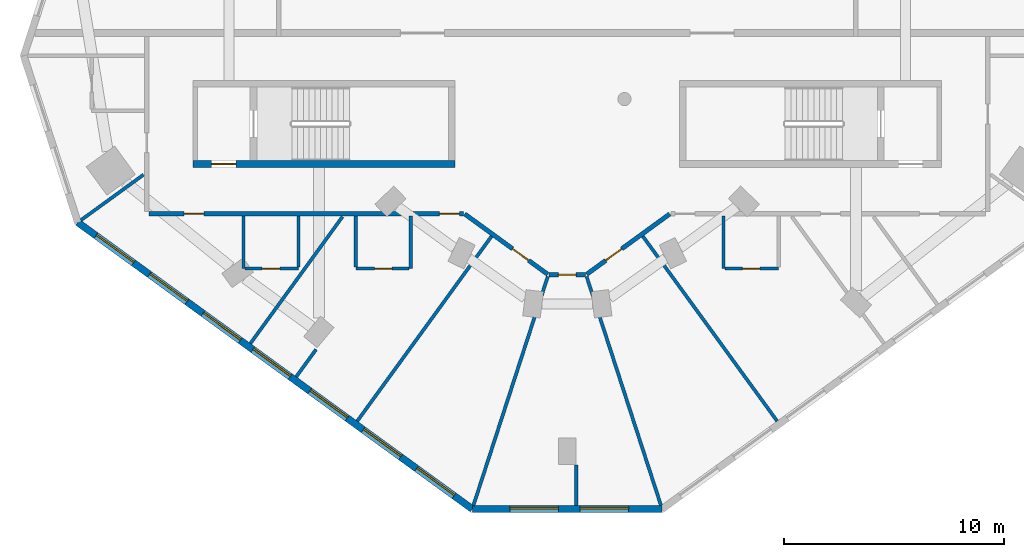
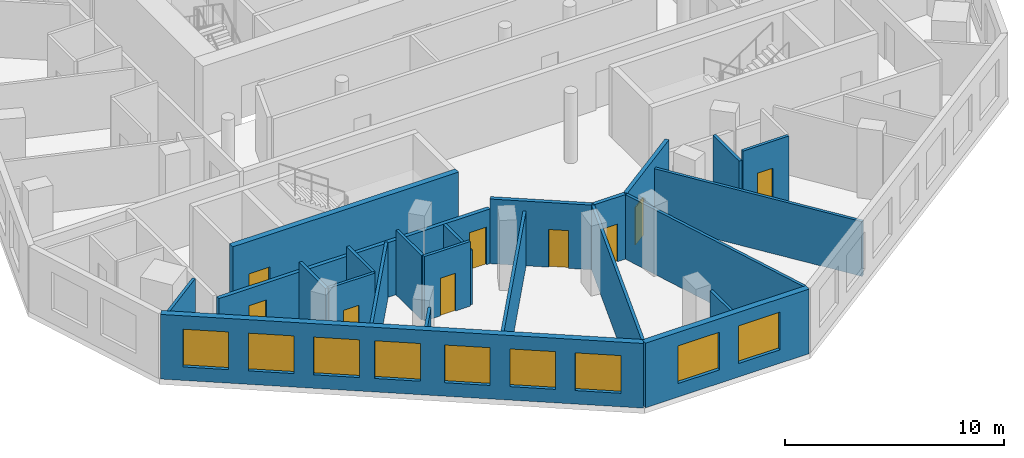
# One storey, part 2 of 9: 23 walls, 9 doors, 9 windows, 18 openings.
"""IFC4 building model written with IfcOpenShell, lengths in metres."""

import ifcopenshell
import ifcopenshell.guid

model = None  # the IFC model being written
_history = None  # IfcOwnerHistory: only IFC2X3 demands one
_inside = {}  # id of a spatial element -> (the spatial element, [elements in it])
_under = {}  # id of a project, library or spatial element -> (it, [spatial elements below it])
_declared = {}  # id of a project -> (the project, [libraries it declares])
_typed = {}  # id of a type object -> (the type object, [elements of that type])
_made_of = {}  # id of a material, layer set ... -> (it, [elements and type objects made of it])


def new_model(schema):
    """Start an empty IFC model of exactly this schema.

    Asked for "IFC4X3", IfcOpenShell would pick the latest addendum, in which some entities
    have other attributes; the version numbers below select the first issue.
    IFC2X3 requires an IfcOwnerHistory on every rooted entity: one is made here for all.
    """
    global model, _history
    if schema == "IFC4X3":
        model = ifcopenshell.file(schema_version=(4, 3, 0, 0))
    else:
        model = ifcopenshell.file(schema=schema)
    _inside.clear()
    _under.clear()
    _declared.clear()
    _typed.clear()
    _made_of.clear()
    _history = None
    if model.schema == "IFC2X3":
        org = make("IfcOrganization", Name="unknown")
        user = make(
            "IfcPersonAndOrganization",
            ThePerson=make("IfcPerson", FamilyName="unknown"),
            TheOrganization=org,
        )
        app = make(
            "IfcApplication",
            ApplicationDeveloper=org,
            Version="unknown",
            ApplicationFullName="unknown",
            ApplicationIdentifier="unknown",
        )
        _history = make(
            "IfcOwnerHistory",
            OwningUser=user,
            OwningApplication=app,
            ChangeAction="ADDED",
            CreationDate=0,
        )
    return model


def make(cls, **values):
    """One entity of the class cls with the attributes given. An attribute that is None is left unset."""
    return model.create_entity(
        cls, **{name: value for name, value in values.items() if value is not None}
    )


def rooted(cls, **values):
    """An entity with a GlobalId (a new one), such as an element, a storey or a relation."""
    return make(cls, GlobalId=ifcopenshell.guid.new(), OwnerHistory=_history, **values)


def si_unit(unit_type, name, prefix=None):
    """IfcSIUnit, for example si_unit("LENGTHUNIT", "METRE", prefix="MILLI")."""
    return make("IfcSIUnit", UnitType=unit_type, Prefix=prefix, Name=name)


def assignment(units):
    """IfcUnitAssignment: the units of a project."""
    return None if units is None else make("IfcUnitAssignment", Units=units)


def point(xyz):
    """IfcCartesianPoint."""
    return None if xyz is None else make("IfcCartesianPoint", Coordinates=xyz)


def direction(xyz):
    """IfcDirection."""
    return None if xyz is None else make("IfcDirection", DirectionRatios=xyz)


def frame(location, z_axis=None, x_axis=None):
    """IfcAxis2Placement3D, a coordinate frame: its origin and axes. An axis left out is left unset."""
    return make(
        "IfcAxis2Placement3D",
        Location=point(location),
        Axis=direction(z_axis),
        RefDirection=direction(x_axis),
    )


def frame_2d(location, x_axis=None):
    """IfcAxis2Placement2D, a coordinate frame in the plane: its origin and x axis."""
    return make(
        "IfcAxis2Placement2D", Location=point(location), RefDirection=direction(x_axis)
    )


def origin():
    """The frame at (0, 0, 0) with its axes left unset."""
    return frame((0.0, 0.0, 0.0))


def place(relative_to, where):
    """IfcLocalPlacement: puts the frame where relative to a parent placement (None: the world)."""
    return make(
        "IfcLocalPlacement", PlacementRelTo=relative_to, RelativePlacement=where
    )


def context(
    kind, dimensions, precision=None, world=None, true_north=None, identifier=None
):
    """IfcGeometricRepresentationContext, for example the 3D "Model" context."""
    return make(
        "IfcGeometricRepresentationContext",
        ContextIdentifier=identifier,
        ContextType=kind,
        CoordinateSpaceDimension=dimensions,
        Precision=precision,
        WorldCoordinateSystem=world,
        TrueNorth=true_north,
    )


def subcontext(parent, identifier, kind, view, scale=None):
    """IfcGeometricRepresentationSubContext, for example "Body" below "Model"."""
    return make(
        "IfcGeometricRepresentationSubContext",
        ContextIdentifier=identifier,
        ContextType=kind,
        ParentContext=parent,
        TargetScale=scale,
        TargetView=view,
    )


def project(units=None, contexts=None):
    """IfcProject with its units and contexts."""
    return rooted(
        "IfcProject",
        Name="project",
        RepresentationContexts=contexts,
        UnitsInContext=assignment(units),
    )


def spatial(cls, under=None, at=None, **own):
    """A site, building, storey or space (cls), placed at a placement, below another one or the project."""
    s = rooted(cls, ObjectPlacement=at, **own)
    if under is not None:
        _under.setdefault(under.id(), (under, []))[1].append(s)
    return s


def profile(cls, at=None, kind="AREA", **sizes):
    """A parametric profile (cls). Its sizes go by their IFC names, for example OverallWidth=200.0."""
    return make(cls, ProfileType=kind, Position=at, **sizes)


def rectangle(**sizes):
    """IfcRectangleProfileDef."""
    return profile("IfcRectangleProfileDef", **sizes)


def extrude(swept, where, along, depth):
    """IfcExtrudedAreaSolid: the profile swept, set in the frame where, extruded along a direction by depth."""
    return make(
        "IfcExtrudedAreaSolid",
        SweptArea=swept,
        Position=where,
        ExtrudedDirection=direction(along),
        Depth=depth,
    )


def shape(context_of_items, identifier, shape_type, items):
    """IfcShapeRepresentation: the items that make up one representation, for example the "Body"."""
    return make(
        "IfcShapeRepresentation",
        ContextOfItems=context_of_items,
        RepresentationIdentifier=identifier,
        RepresentationType=shape_type,
        Items=items,
    )


def material(Name=None, Category=None):
    """IfcMaterial."""
    return make("IfcMaterial", Name=Name, Category=Category)


def layer(
    of_material, thickness, ventilated=None, Name=None, Category=None, Priority=None
):
    """IfcMaterialLayer: one layer of a wall or slab, of a material (None: an air gap)."""
    return make(
        "IfcMaterialLayer",
        Material=of_material,
        LayerThickness=thickness,
        IsVentilated=ventilated,
        Name=Name,
        Category=Category,
        Priority=Priority,
    )


def layer_set(layers, Name=None):
    """IfcMaterialLayerSet."""
    return make("IfcMaterialLayerSet", MaterialLayers=layers, LayerSetName=Name)


def made_of(thing, what):
    """Note that an element or type object is made of a material, layer set ...; save() writes the relation."""
    if what is not None:
        _made_of.setdefault(what.id(), (what, []))[1].append(thing)
    return thing


def type_object(cls, material=None, **own):
    """A type object (cls), such as IfcWallType, which elements share."""
    return made_of(rooted(cls, **own), material)


def element(
    cls,
    number,
    at=None,
    inside=None,
    cuts=None,
    type_object=None,
    material=None,
    context=None,
    identifier="Body",
    shape_type=None,
    held_by="IfcProductDefinitionShape",
    body=None,
    shapes=None,
    **own,
):
    """One element of the class cls, such as IfcWall. Its Tag is "e" and its number.

    at: its placement. inside: the storey or other place that contains it. cuts: it is an
    opening in that element (IfcRelVoidsElement). A single representation is given by context,
    identifier, shape_type and body (its items); several are given by shapes. held_by: the class
    of the entity that holds the representations. save() writes the other relations.
    """
    e = rooted(cls, Tag="e%d" % number, ObjectPlacement=at, **own)
    if body is not None:
        shapes = [shape(context, identifier, shape_type, body)]
    if shapes is not None:
        e.Representation = make(held_by, Representations=shapes)
    if inside is not None:
        _inside.setdefault(inside.id(), (inside, []))[1].append(e)
    if cuts is not None:
        rooted(
            "IfcRelVoidsElement", RelatingBuildingElement=cuts, RelatedOpeningElement=e
        )
    if type_object is not None:
        _typed.setdefault(type_object.id(), (type_object, []))[1].append(e)
    return made_of(e, material)


def fill(opening, filler):
    """IfcRelFillsElement: the door or window that sits in an opening."""
    return rooted(
        "IfcRelFillsElement",
        RelatingOpeningElement=opening,
        RelatedBuildingElement=filler,
    )


def aggregate(whole, parts):
    """IfcRelAggregates: a whole, such as a stair, and the parts it consists of."""
    return rooted("IfcRelAggregates", RelatingObject=whole, RelatedObjects=parts)


def save(model, path):
    """Write the relations noted so far, then the file.

    IfcRelAggregates (storeys below a building ...), IfcRelContainedInSpatialStructure (elements
    in a storey), IfcRelDefinesByType, IfcRelAssociatesMaterial and IfcRelDeclares: one each for
    every whole, place, type object, material and project.
    """
    for whole, parts in _under.values():
        aggregate(whole, parts)
    for where, things in _inside.values():
        rooted(
            "IfcRelContainedInSpatialStructure",
            RelatedElements=things,
            RelatingStructure=where,
        )
    for kind, things in _typed.values():
        rooted("IfcRelDefinesByType", RelatedObjects=things, RelatingType=kind)
    for what, things in _made_of.values():
        rooted("IfcRelAssociatesMaterial", RelatedObjects=things, RelatingMaterial=what)
    for by, libraries in _declared.values():
        rooted("IfcRelDeclares", RelatingContext=by, RelatedDefinitions=libraries)
    model.write(path)


model = new_model("IFC4")

# Units and contexts
model_context = context("Model", 3, precision=1e-05, world=origin(), true_north=direction((0.0, 1.0)))
body_context = subcontext(model_context, "Body", "Model", "MODEL_VIEW")
ifc_project = project(units=[si_unit("LENGTHUNIT", "METRE"), si_unit("AREAUNIT", "SQUARE_METRE"), si_unit("VOLUMEUNIT", "CUBIC_METRE"), si_unit("PLANEANGLEUNIT", "RADIAN"), si_unit("MASSUNIT", "GRAM", prefix="KILO")], contexts=[model_context])

# Site, building, storey
site_placement = place(None, origin())
site = spatial("IfcSite", under=ifc_project, at=site_placement, CompositionType="ELEMENT")
building_placement = place(site_placement, origin())
building = spatial("IfcBuilding", under=site, at=building_placement, Name="White Candle Pilgrim Tower", CompositionType="ELEMENT")
storey_placement = place(building_placement, frame((0.0, 0.0, 212.10009765625)))
storey = spatial("IfcBuildingStorey", under=building, at=storey_placement, Name="L49", CompositionType="ELEMENT", Elevation=212.10009765625)

# Wall, opening, door
ifc_material_1 = material(Name="Gypsum board on steel studs", Category="steel")
ifc_layer_1 = layer(ifc_material_1, 0.199951171875)
ifc_layer_set_1 = layer_set([ifc_layer_1], Name="Corridor wall 200 mm EI 45")
wall_type_1 = type_object("IfcWallType", Name="Corridor wall 200 mm EI 45", PredefinedType="PARTITIONING", material=ifc_layer_set_1)
wall_1_placement = place(storey_placement, frame((74.656494140625, 55.781005859375, 0.0), z_axis=(0.0, 0.0, 1.0), x_axis=(-0.809000756998, -0.587807600476, 0.0)))
wall_1 = element("IfcWall", 1, at=wall_1_placement, inside=storey, type_object=wall_type_1, Name="WL-L49-P006", PredefinedType="PARTITIONING", context=body_context, shape_type="SweptSolid", body=[
    extrude(rectangle(XDim=4.66552734375, YDim=0.199951171875, at=frame_2d((2.332763671875, 0.0))), origin(), (0.0, 0.0, 1.0), 3.599853515625),
])
opening_1_placement = place(wall_1_placement, frame((2.690185546875, 0.0, 0.0)))
opening_1 = element("IfcOpeningElement", 2, at=opening_1_placement, cuts=wall_1, Name="Opening T15-111", PredefinedType="OPENING", context=body_context, shape_type="SweptSolid", body=[
    extrude(rectangle(XDim=0.89990234375, YDim=2.10009765625, at=frame_2d((0.449951171875, 1.050048828125))), frame((0.0, 0.10986328125, 0.0), z_axis=(0.0, -1.0, 0.0), x_axis=(1.0, 0.0, 0.0)), (0.0, 0.0, 1.0), 0.219970703125),
])
ifc_material_2 = material(Name="Steel door leaf", Category="steel")
door_type_1 = type_object("IfcDoorType", Name="Fire door 900 x 2100 EI 30", OperationType="NOTDEFINED", PredefinedType="DOOR", material=ifc_material_2)
door_1_placement = place(opening_1_placement, origin())
door_1 = element("IfcDoor", 3, at=door_1_placement, inside=storey, type_object=door_type_1, Name="Door T15-111", OperationType="SINGLE_SWING_LEFT", OverallHeight=2.10009765625, OverallWidth=0.89990234375, PredefinedType="DOOR", context=body_context, shape_type="SweptSolid", body=[
    extrude(rectangle(XDim=0.89990234375, YDim=2.10009765625, at=frame_2d((0.449951171875, 1.050048828125))), frame((0.0, 0.02490234375, 0.0), z_axis=(0.0, -1.0, 0.0), x_axis=(1.0, 0.0, 0.0)), (0.0, 0.0, 1.0), 0.050048828125),
])
fill(opening_1, door_1)

wall_2_placement = place(storey_placement, frame((70.8232421875, 53.01953125, 0.0), z_axis=(0.0, 0.0, 1.0), x_axis=(-1.0, 0.0, 0.0)))
wall_2 = element("IfcWall", 4, at=wall_2_placement, inside=storey, type_object=wall_type_1, Name="WL-L49-P007", PredefinedType="PARTITIONING", context=body_context, shape_type="SweptSolid", body=[
    extrude(rectangle(XDim=1.646484375, YDim=0.199951171875, at=frame_2d((0.8232421875, 0.0))), origin(), (0.0, 0.0, 1.0), 3.599853515625),
])
opening_2_placement = place(wall_2_placement, frame((0.423095703125, 0.0, 0.0)))
opening_2 = element("IfcOpeningElement", 5, at=opening_2_placement, cuts=wall_2, Name="Opening T15-110", PredefinedType="OPENING", context=body_context, shape_type="SweptSolid", body=[
    extrude(rectangle(XDim=0.800048828125, YDim=2.10009765625, at=frame_2d((0.39990234375, 1.050048828125))), frame((0.0, 0.10986328125, 0.0), z_axis=(0.0, -1.0, 0.0), x_axis=(1.0, 0.0, 0.0)), (0.0, 0.0, 1.0), 0.219970703125),
])
door_type_2 = type_object("IfcDoorType", Name="Fire door 800 x 2100 EI 30", OperationType="NOTDEFINED", PredefinedType="DOOR", material=ifc_material_2)
door_2_placement = place(opening_2_placement, origin())
door_2 = element("IfcDoor", 6, at=door_2_placement, inside=storey, type_object=door_type_2, Name="Door T15-110", OperationType="SINGLE_SWING_RIGHT", OverallHeight=2.10009765625, OverallWidth=0.800048828125, PredefinedType="DOOR", context=body_context, shape_type="SweptSolid", body=[
    extrude(rectangle(XDim=0.800048828125, YDim=2.10009765625, at=frame_2d((0.39990234375, 1.050048828125))), frame((0.0, 0.02490234375, 0.0), z_axis=(0.0, -1.0, 0.0), x_axis=(1.0, 0.0, 0.0)), (0.0, 0.0, 1.0), 0.050048828125),
])
fill(opening_2, door_2)

wall_3_placement = place(storey_placement, frame((69.117919921875, 53.03857421875, 0.0), z_axis=(0.0, 0.0, 1.0), x_axis=(-0.809000756998, 0.587807600476, 0.0)))
wall_3 = element("IfcWall", 7, at=wall_3_placement, inside=storey, type_object=wall_type_1, Name="WL-L49-P008", PredefinedType="PARTITIONING", context=body_context, shape_type="SweptSolid", body=[
    extrude(rectangle(XDim=4.66552734375, YDim=0.199951171875, at=frame_2d((2.332763671875, 0.0))), origin(), (0.0, 0.0, 1.0), 3.599853515625),
])
opening_3_placement = place(wall_3_placement, frame((1.0751953125, 0.0, 0.0)))
opening_3 = element("IfcOpeningElement", 8, at=opening_3_placement, cuts=wall_3, Name="Opening T15-109", PredefinedType="OPENING", context=body_context, shape_type="SweptSolid", body=[
    extrude(rectangle(XDim=0.89990234375, YDim=2.10009765625, at=frame_2d((0.449951171875, 1.050048828125))), frame((0.0, 0.10986328125, 0.0), z_axis=(0.0, -1.0, 0.0), x_axis=(1.0, 0.0, 0.0)), (0.0, 0.0, 1.0), 0.219970703125),
])
door_3_placement = place(opening_3_placement, origin())
door_3 = element("IfcDoor", 9, at=door_3_placement, inside=storey, type_object=door_type_1, Name="Door T15-109", OperationType="SINGLE_SWING_LEFT", OverallHeight=2.10009765625, OverallWidth=0.89990234375, PredefinedType="DOOR", context=body_context, shape_type="SweptSolid", body=[
    extrude(rectangle(XDim=0.89990234375, YDim=2.10009765625, at=frame_2d((0.449951171875, 1.050048828125))), frame((0.0, 0.02490234375, 0.0), z_axis=(0.0, -1.0, 0.0), x_axis=(1.0, 0.0, 0.0)), (0.0, 0.0, 1.0), 0.050048828125),
])
fill(opening_3, door_3)

# Wall, openings, doors
wall_4_placement = place(storey_placement, frame((65.28466796875, 55.800048828125, 0.0), z_axis=(0.0, 0.0, 1.0), x_axis=(-1.0, 0.0, 0.0)))
wall_4 = element("IfcWall", 10, at=wall_4_placement, inside=storey, type_object=wall_type_1, Name="WL-L49-P009", PredefinedType="PARTITIONING", context=body_context, shape_type="SweptSolid", body=[
    extrude(rectangle(XDim=14.28466796875, YDim=0.199951171875, at=frame_2d((7.142333984375, 0.0))), origin(), (0.0, 0.0, 1.0), 3.0498046875),
])
opening_4_placement = place(wall_4_placement, frame((11.7861328125, 0.0, 0.0)))
opening_4 = element("IfcOpeningElement", 11, at=opening_4_placement, cuts=wall_4, Name="Opening T15-106", PredefinedType="OPENING", context=body_context, shape_type="SweptSolid", body=[
    extrude(rectangle(XDim=0.89990234375, YDim=2.10009765625, at=frame_2d((0.449951171875, 1.050048828125))), frame((0.0, 0.10986328125, 0.0), z_axis=(0.0, -1.0, 0.0), x_axis=(1.0, 0.0, 0.0)), (0.0, 0.0, 1.0), 0.219970703125),
])
opening_5_placement = place(wall_4_placement, frame((0.1875, 0.0, 0.0)))
opening_5 = element("IfcOpeningElement", 12, at=opening_5_placement, cuts=wall_4, Name="Opening T15-108", PredefinedType="OPENING", context=body_context, shape_type="SweptSolid", body=[
    extrude(rectangle(XDim=0.89990234375, YDim=2.10009765625, at=frame_2d((0.449951171875, 1.050048828125))), frame((0.0, 0.10986328125, 0.0), z_axis=(0.0, -1.0, 0.0), x_axis=(1.0, 0.0, 0.0)), (0.0, 0.0, 1.0), 0.219970703125),
])
door_4_placement = place(opening_4_placement, origin())
door_4 = element("IfcDoor", 13, at=door_4_placement, inside=storey, type_object=door_type_1, Name="Door T15-106", OperationType="SINGLE_SWING_RIGHT", OverallHeight=2.10009765625, OverallWidth=0.89990234375, PredefinedType="DOOR", context=body_context, shape_type="SweptSolid", body=[
    extrude(rectangle(XDim=0.89990234375, YDim=2.10009765625, at=frame_2d((0.449951171875, 1.050048828125))), frame((0.0, 0.02490234375, 0.0), z_axis=(0.0, -1.0, 0.0), x_axis=(1.0, 0.0, 0.0)), (0.0, 0.0, 1.0), 0.050048828125),
])
fill(opening_4, door_4)
door_5_placement = place(opening_5_placement, origin())
door_5 = element("IfcDoor", 14, at=door_5_placement, inside=storey, type_object=door_type_1, Name="Door T15-108", OperationType="SINGLE_SWING_RIGHT", OverallHeight=2.10009765625, OverallWidth=0.89990234375, PredefinedType="DOOR", context=body_context, shape_type="SweptSolid", body=[
    extrude(rectangle(XDim=0.89990234375, YDim=2.10009765625, at=frame_2d((0.449951171875, 1.050048828125))), frame((0.0, 0.02490234375, 0.0), z_axis=(0.0, -1.0, 0.0), x_axis=(1.0, 0.0, 0.0)), (0.0, 0.0, 1.0), 0.050048828125),
])
fill(opening_5, door_5)

# Wall, openings, windows
ifc_material_3 = material(Name="Precast concrete C40/50", Category="concrete")
ifc_layer_2 = layer(ifc_material_3, 0.320068359375)
ifc_layer_set_2 = layer_set([ifc_layer_2], Name="Facade wall EW1 precast concrete C40/50 pier wall with timber-lined reveals")
wall_type_2 = type_object("IfcWallType", Name="Facade wall EW1 precast concrete C40/50 pier wall with timber-lined reveals", PredefinedType="SOLIDWALL", material=ifc_layer_set_2)
wall_5_placement = place(storey_placement, frame((47.77099609375, 55.396240234375, 0.0), z_axis=(0.0, 0.0, 1.0), x_axis=(0.809018689846, -0.587782918669, 0.0)))
wall_5 = element("IfcWall", 15, at=wall_5_placement, inside=storey, type_object=wall_type_2, Name="Facade wall L49 SW", PredefinedType="SOLIDWALL", context=body_context, shape_type="SweptSolid", body=[
    extrude(rectangle(XDim=22.145751953125, YDim=0.320068359375, at=frame_2d((11.07275390625, 0.0))), origin(), (0.0, 0.0, 1.0), 3.599853515625),
])
opening_6_placement = place(wall_5_placement, frame((1.022705078125, 0.0, 0.75)))
opening_6 = element("IfcOpeningElement", 16, at=opening_6_placement, cuts=wall_5, Name="Opening W3", PredefinedType="OPENING", context=body_context, shape_type="SweptSolid", body=[
    extrude(rectangle(XDim=2.10009765625, YDim=2.10009765625, at=frame_2d((1.050048828125, 1.050048828125))), frame((0.0, 0.169921875, 0.0), z_axis=(0.0, -1.0, 0.0), x_axis=(1.0, 0.0, 0.0)), (0.0, 0.0, 1.0), 0.340087890625),
])
opening_7_placement = place(wall_5_placement, frame((4.022705078125, 0.0, 0.75)))
opening_7 = element("IfcOpeningElement", 17, at=opening_7_placement, cuts=wall_5, Name="Opening W3", PredefinedType="OPENING", context=body_context, shape_type="SweptSolid", body=[
    extrude(rectangle(XDim=2.10009765625, YDim=2.10009765625, at=frame_2d((1.050048828125, 1.050048828125))), frame((0.0, 0.169921875, 0.0), z_axis=(0.0, -1.0, 0.0), x_axis=(1.0, 0.0, 0.0)), (0.0, 0.0, 1.0), 0.340087890625),
])
opening_8_placement = place(wall_5_placement, frame((7.022705078125, 0.0, 0.75)))
opening_8 = element("IfcOpeningElement", 18, at=opening_8_placement, cuts=wall_5, Name="Opening W3", PredefinedType="OPENING", context=body_context, shape_type="SweptSolid", body=[
    extrude(rectangle(XDim=2.10009765625, YDim=2.10009765625, at=frame_2d((1.050048828125, 1.050048828125))), frame((0.0, 0.169921875, 0.0), z_axis=(0.0, -1.0, 0.0), x_axis=(1.0, 0.0, 0.0)), (0.0, 0.0, 1.0), 0.340087890625),
])
opening_9_placement = place(wall_5_placement, frame((9.82275390625, 0.0, 0.75)))
opening_9 = element("IfcOpeningElement", 19, at=opening_9_placement, cuts=wall_5, Name="Opening W3", PredefinedType="OPENING", context=body_context, shape_type="SweptSolid", body=[
    extrude(rectangle(XDim=2.10009765625, YDim=2.10009765625, at=frame_2d((1.050048828125, 1.050048828125))), frame((0.0, 0.169921875, 0.0), z_axis=(0.0, -1.0, 0.0), x_axis=(1.0, 0.0, 0.0)), (0.0, 0.0, 1.0), 0.340087890625),
])
opening_10_placement = place(wall_5_placement, frame((13.022705078125, 0.0, 0.75)))
opening_10 = element("IfcOpeningElement", 20, at=opening_10_placement, cuts=wall_5, Name="Opening W3", PredefinedType="OPENING", context=body_context, shape_type="SweptSolid", body=[
    extrude(rectangle(XDim=2.10009765625, YDim=2.10009765625, at=frame_2d((1.050048828125, 1.050048828125))), frame((0.0, 0.169921875, 0.0), z_axis=(0.0, -1.0, 0.0), x_axis=(1.0, 0.0, 0.0)), (0.0, 0.0, 1.0), 0.340087890625),
])
opening_11_placement = place(wall_5_placement, frame((16.022705078125, 0.0, 0.75)))
opening_11 = element("IfcOpeningElement", 21, at=opening_11_placement, cuts=wall_5, Name="Opening W3", PredefinedType="OPENING", context=body_context, shape_type="SweptSolid", body=[
    extrude(rectangle(XDim=2.10009765625, YDim=2.10009765625, at=frame_2d((1.050048828125, 1.050048828125))), frame((0.0, 0.169921875, 0.0), z_axis=(0.0, -1.0, 0.0), x_axis=(1.0, 0.0, 0.0)), (0.0, 0.0, 1.0), 0.340087890625),
])
opening_12_placement = place(wall_5_placement, frame((19.022705078125, 0.0, 0.75)))
opening_12 = element("IfcOpeningElement", 22, at=opening_12_placement, cuts=wall_5, Name="Opening W3", PredefinedType="OPENING", context=body_context, shape_type="SweptSolid", body=[
    extrude(rectangle(XDim=2.10009765625, YDim=2.10009765625, at=frame_2d((1.050048828125, 1.050048828125))), frame((0.0, 0.169921875, 0.0), z_axis=(0.0, -1.0, 0.0), x_axis=(1.0, 0.0, 0.0)), (0.0, 0.0, 1.0), 0.340087890625),
])
ifc_material_4 = material(Name="Timber frame with triple glazing", Category="wood")
window_type_1 = type_object("IfcWindowType", Name="Window W3 2100x2100 timber frame triple glazing", PartitioningType="SINGLE_PANEL", PredefinedType="WINDOW", material=ifc_material_4)
window_1_placement = place(opening_6_placement, origin())
window_1 = element("IfcWindow", 23, at=window_1_placement, inside=storey, type_object=window_type_1, Name="Window W3 L49 SW 1", OverallHeight=2.10009765625, OverallWidth=2.10009765625, PartitioningType="SINGLE_PANEL", PredefinedType="WINDOW", context=body_context, shape_type="SweptSolid", body=[
    extrude(rectangle(XDim=2.10009765625, YDim=2.10009765625, at=frame_2d((1.050048828125, 1.050048828125))), frame((0.0, 0.070068359375, 0.0), z_axis=(0.0, -1.0, 0.0), x_axis=(1.0, 0.0, 0.0)), (0.0, 0.0, 1.0), 0.06005859375),
])
fill(opening_6, window_1)
window_2_placement = place(opening_7_placement, origin())
window_2 = element("IfcWindow", 24, at=window_2_placement, inside=storey, type_object=window_type_1, Name="Window W3 L49 SW 2", OverallHeight=2.10009765625, OverallWidth=2.10009765625, PartitioningType="SINGLE_PANEL", PredefinedType="WINDOW", context=body_context, shape_type="SweptSolid", body=[
    extrude(rectangle(XDim=2.10009765625, YDim=2.10009765625, at=frame_2d((1.050048828125, 1.050048828125))), frame((0.0, 0.070068359375, 0.0), z_axis=(0.0, -1.0, 0.0), x_axis=(1.0, 0.0, 0.0)), (0.0, 0.0, 1.0), 0.06005859375),
])
fill(opening_7, window_2)
window_3_placement = place(opening_8_placement, origin())
window_3 = element("IfcWindow", 25, at=window_3_placement, inside=storey, type_object=window_type_1, Name="Window W3 L49 SW 3", OverallHeight=2.10009765625, OverallWidth=2.10009765625, PartitioningType="SINGLE_PANEL", PredefinedType="WINDOW", context=body_context, shape_type="SweptSolid", body=[
    extrude(rectangle(XDim=2.10009765625, YDim=2.10009765625, at=frame_2d((1.050048828125, 1.050048828125))), frame((0.0, 0.070068359375, 0.0), z_axis=(0.0, -1.0, 0.0), x_axis=(1.0, 0.0, 0.0)), (0.0, 0.0, 1.0), 0.06005859375),
])
fill(opening_8, window_3)
window_4_placement = place(opening_9_placement, origin())
window_4 = element("IfcWindow", 26, at=window_4_placement, inside=storey, type_object=window_type_1, Name="Window W3 L49 SW 4", OverallHeight=2.10009765625, OverallWidth=2.10009765625, PartitioningType="SINGLE_PANEL", PredefinedType="WINDOW", context=body_context, shape_type="SweptSolid", body=[
    extrude(rectangle(XDim=2.10009765625, YDim=2.10009765625, at=frame_2d((1.050048828125, 1.050048828125))), frame((0.0, 0.070068359375, 0.0), z_axis=(0.0, -1.0, 0.0), x_axis=(1.0, 0.0, 0.0)), (0.0, 0.0, 1.0), 0.06005859375),
])
fill(opening_9, window_4)
window_5_placement = place(opening_10_placement, origin())
window_5 = element("IfcWindow", 27, at=window_5_placement, inside=storey, type_object=window_type_1, Name="Window W3 L49 SW 5", OverallHeight=2.10009765625, OverallWidth=2.10009765625, PartitioningType="SINGLE_PANEL", PredefinedType="WINDOW", context=body_context, shape_type="SweptSolid", body=[
    extrude(rectangle(XDim=2.10009765625, YDim=2.10009765625, at=frame_2d((1.050048828125, 1.050048828125))), frame((0.0, 0.070068359375, 0.0), z_axis=(0.0, -1.0, 0.0), x_axis=(1.0, 0.0, 0.0)), (0.0, 0.0, 1.0), 0.06005859375),
])
fill(opening_10, window_5)
window_6_placement = place(opening_11_placement, origin())
window_6 = element("IfcWindow", 28, at=window_6_placement, inside=storey, type_object=window_type_1, Name="Window W3 L49 SW 6", OverallHeight=2.10009765625, OverallWidth=2.10009765625, PartitioningType="SINGLE_PANEL", PredefinedType="WINDOW", context=body_context, shape_type="SweptSolid", body=[
    extrude(rectangle(XDim=2.10009765625, YDim=2.10009765625, at=frame_2d((1.050048828125, 1.050048828125))), frame((0.0, 0.070068359375, 0.0), z_axis=(0.0, -1.0, 0.0), x_axis=(1.0, 0.0, 0.0)), (0.0, 0.0, 1.0), 0.06005859375),
])
fill(opening_11, window_6)
window_7_placement = place(opening_12_placement, origin())
window_7 = element("IfcWindow", 29, at=window_7_placement, inside=storey, type_object=window_type_1, Name="Window W3 L49 SW 7", OverallHeight=2.10009765625, OverallWidth=2.10009765625, PartitioningType="SINGLE_PANEL", PredefinedType="WINDOW", context=body_context, shape_type="SweptSolid", body=[
    extrude(rectangle(XDim=2.10009765625, YDim=2.10009765625, at=frame_2d((1.050048828125, 1.050048828125))), frame((0.0, 0.070068359375, 0.0), z_axis=(0.0, -1.0, 0.0), x_axis=(1.0, 0.0, 0.0)), (0.0, 0.0, 1.0), 0.06005859375),
])
fill(opening_12, window_7)

wall_6_placement = place(storey_placement, frame((65.687255859375, 42.37939453125, 0.0), z_axis=(0.0, 0.0, 1.0), x_axis=(1.0, 0.0, 0.0)))
wall_6 = element("IfcWall", 30, at=wall_6_placement, inside=storey, type_object=wall_type_2, Name="Facade wall L49 S chamfer", PredefinedType="SOLIDWALL", context=body_context, shape_type="SweptSolid", body=[
    extrude(rectangle(XDim=8.62548828125, YDim=0.320068359375, at=frame_2d((4.312744140625, 0.0))), origin(), (0.0, 0.0, 1.0), 3.599853515625),
])
opening_13_placement = place(wall_6_placement, frame((1.712890625, 0.0, 0.75)))
opening_13 = element("IfcOpeningElement", 31, at=opening_13_placement, cuts=wall_6, Name="Opening W4", PredefinedType="OPENING", context=body_context, shape_type="SweptSolid", body=[
    extrude(rectangle(XDim=2.199951171875, YDim=2.10009765625, at=frame_2d((1.10009765625, 1.050048828125))), frame((0.0, 0.169921875, 0.0), z_axis=(0.0, -1.0, 0.0), x_axis=(1.0, 0.0, 0.0)), (0.0, 0.0, 1.0), 0.340087890625),
])
opening_14_placement = place(wall_6_placement, frame((4.89794921875, 0.0, 0.75)))
opening_14 = element("IfcOpeningElement", 32, at=opening_14_placement, cuts=wall_6, Name="Opening W4", PredefinedType="OPENING", context=body_context, shape_type="SweptSolid", body=[
    extrude(rectangle(XDim=2.199951171875, YDim=2.10009765625, at=frame_2d((1.10009765625, 1.050048828125))), frame((0.0, 0.169921875, 0.0), z_axis=(0.0, -1.0, 0.0), x_axis=(1.0, 0.0, 0.0)), (0.0, 0.0, 1.0), 0.340087890625),
])
window_type_2 = type_object("IfcWindowType", Name="Window W4 2200x2100 timber frame triple glazing", PartitioningType="SINGLE_PANEL", PredefinedType="WINDOW", material=ifc_material_4)
window_8_placement = place(opening_13_placement, origin())
window_8 = element("IfcWindow", 33, at=window_8_placement, inside=storey, type_object=window_type_2, Name="Window W4 L49 S chamfer 1", OverallHeight=2.10009765625, OverallWidth=2.199951171875, PartitioningType="SINGLE_PANEL", PredefinedType="WINDOW", context=body_context, shape_type="SweptSolid", body=[
    extrude(rectangle(XDim=2.199951171875, YDim=2.10009765625, at=frame_2d((1.10009765625, 1.050048828125))), frame((0.0, 0.070068359375, 0.0), z_axis=(0.0, -1.0, 0.0), x_axis=(1.0, 0.0, 0.0)), (0.0, 0.0, 1.0), 0.06005859375),
])
fill(opening_13, window_8)
window_9_placement = place(opening_14_placement, origin())
window_9 = element("IfcWindow", 34, at=window_9_placement, inside=storey, type_object=window_type_2, Name="Window W4 L49 S chamfer 2", OverallHeight=2.10009765625, OverallWidth=2.199951171875, PartitioningType="SINGLE_PANEL", PredefinedType="WINDOW", context=body_context, shape_type="SweptSolid", body=[
    extrude(rectangle(XDim=2.199951171875, YDim=2.10009765625, at=frame_2d((1.10009765625, 1.050048828125))), frame((0.0, 0.070068359375, 0.0), z_axis=(0.0, -1.0, 0.0), x_axis=(1.0, 0.0, 0.0)), (0.0, 0.0, 1.0), 0.06005859375),
])
fill(opening_14, window_9)

# Walls
ifc_layer_3 = layer(ifc_material_1, 0.14990234375)
ifc_layer_set_3 = layer_set([ifc_layer_3], Name="Partition 150 mm EI 60")
wall_type_3 = type_object("IfcWallType", Name="Partition 150 mm EI 60", PredefinedType="PARTITIONING", material=ifc_layer_set_3)
wall_7_placement = place(storey_placement, frame((47.906982421875, 55.4951171875, 0.0), z_axis=(0.0, 0.0, 1.0), x_axis=(0.809017810654, 0.587784128779, 0.0)))
element("IfcWall", 35, at=wall_7_placement, inside=storey, type_object=wall_type_3, Name="WL-L49-P017", PredefinedType="PARTITIONING", context=body_context, shape_type="SweptSolid", body=[
    extrude(rectangle(XDim=3.521484375, YDim=0.14990234375, at=frame_2d((1.7607421875, 0.0))), origin(), (0.0, 0.0, 1.0), 3.14990234375),
])
for number, where, z_axis, x_axis, name in (
    (36, (65.739013671875, 42.53955078125, 0.0), (0.0, 0.0, 1.0), (0.309017914069, 0.951056217468, 0.0), "WL-L49-P018"),
    (37, (74.260986328125, 42.53955078125, 0.0), (0.0, 0.0, 1.0), (-0.309017914069, 0.951056217468, 0.0), "WL-L49-P019"),
):
    element("IfcWall", number, at=place(storey_placement, frame(where, z_axis=z_axis, x_axis=x_axis)), inside=storey, type_object=wall_type_3, Name=name, PredefinedType="PARTITIONING", context=body_context, shape_type="SweptSolid", body=[
        extrude(rectangle(XDim=10.934326171875, YDim=0.14990234375, at=frame_2d((5.46728515625, 0.0))), origin(), (0.0, 0.0, 1.0), 3.599853515625),
    ])
wall_8_placement = place(storey_placement, frame((55.609619140625, 49.89892578125, 0.0), z_axis=(0.0, 0.0, 1.0), x_axis=(0.587771793652, 0.809026772479, 0.0)))
element("IfcWall", 38, at=wall_8_placement, inside=storey, type_object=wall_type_3, Name="WL-L49-P033", PredefinedType="PARTITIONING", context=body_context, shape_type="SweptSolid", body=[
    extrude(rectangle(XDim=7.115966796875, YDim=0.14990234375, at=frame_2d((3.55810546875, 0.0))), origin(), (0.0, 0.0, 1.0), 3.14990234375),
])
wall_9_placement = place(storey_placement, frame((60.463623046875, 46.372314453125, 0.0), z_axis=(0.0, 0.0, 1.0), x_axis=(0.58778704822, 0.809015689554, 0.0)))
element("IfcWall", 39, at=wall_9_placement, inside=storey, type_object=wall_type_3, Name="WL-L49-P034", PredefinedType="PARTITIONING", context=body_context, shape_type="SweptSolid", body=[
    extrude(rectangle(XDim=10.380126953125, YDim=0.14990234375, at=frame_2d((5.18994140625, 0.0))), origin(), (0.0, 0.0, 1.0), 3.0498046875),
])
wall_10_placement = place(storey_placement, frame((55.296875, 55.699951171875, 0.0), z_axis=(0.0, 0.0, 1.0), x_axis=(0.0, -1.0, 0.0)))
element("IfcWall", 40, at=wall_10_placement, inside=storey, type_object=wall_type_3, Name="WL-L49-P035", PredefinedType="PARTITIONING", context=body_context, shape_type="SweptSolid", body=[
    extrude(rectangle(XDim=2.39990234375, YDim=0.14990234375, at=frame_2d((1.199951171875, 0.0))), origin(), (0.0, 0.0, 1.0), 3.599853515625),
])

# Wall, opening, door
wall_11_placement = place(storey_placement, frame((57.796875, 53.300048828125, 0.0), z_axis=(0.0, 0.0, 1.0), x_axis=(-1.0, 0.0, 0.0)))
wall_11 = element("IfcWall", 41, at=wall_11_placement, inside=storey, type_object=wall_type_3, Name="WL-L49-P036", PredefinedType="PARTITIONING", context=body_context, shape_type="SweptSolid", body=[
    extrude(rectangle(XDim=2.425048828125, YDim=0.14990234375, at=frame_2d((1.21240234375, 0.0))), origin(), (0.0, 0.0, 1.0), 3.599853515625),
])
opening_15_placement = place(wall_11_placement, frame((0.85009765625, 0.0, 0.0)))
opening_15 = element("IfcOpeningElement", 42, at=opening_15_placement, cuts=wall_11, Name="Opening T15-105", PredefinedType="OPENING", context=body_context, shape_type="SweptSolid", body=[
    extrude(rectangle(XDim=0.800048828125, YDim=2.10009765625, at=frame_2d((0.39990234375, 1.050048828125))), frame((0.0, 0.0849609375, 0.0), z_axis=(0.0, -1.0, 0.0), x_axis=(1.0, 0.0, 0.0)), (0.0, 0.0, 1.0), 0.169921875),
])
door_6_placement = place(opening_15_placement, origin())
door_6 = element("IfcDoor", 43, at=door_6_placement, inside=storey, type_object=door_type_2, Name="Door T15-105", OperationType="SINGLE_SWING_LEFT", OverallHeight=2.10009765625, OverallWidth=0.800048828125, PredefinedType="DOOR", context=body_context, shape_type="SweptSolid", body=[
    extrude(rectangle(XDim=0.800048828125, YDim=2.10009765625, at=frame_2d((0.39990234375, 1.050048828125))), frame((0.0, 0.02490234375, 0.0), z_axis=(0.0, -1.0, 0.0), x_axis=(1.0, 0.0, 0.0)), (0.0, 0.0, 1.0), 0.050048828125),
])
fill(opening_15, door_6)

# Walls
wall_12_placement = place(storey_placement, frame((57.796875, 55.699951171875, 0.0), z_axis=(0.0, 0.0, 1.0), x_axis=(0.0, -1.0, 0.0)))
element("IfcWall", 44, at=wall_12_placement, inside=storey, type_object=wall_type_3, Name="WL-L49-P037", PredefinedType="PARTITIONING", context=body_context, shape_type="SweptSolid", body=[
    extrude(rectangle(XDim=2.324951171875, YDim=0.14990234375, at=frame_2d((1.16259765625, 0.0))), origin(), (0.0, 0.0, 1.0), 3.599853515625),
])
wall_13_placement = place(storey_placement, frame((62.89697265625, 55.699951171875, 0.0), z_axis=(0.0, 0.0, 1.0), x_axis=(0.0, -1.0, 0.0)))
element("IfcWall", 45, at=wall_13_placement, inside=storey, type_object=wall_type_3, Name="WL-L49-P038", PredefinedType="PARTITIONING", context=body_context, shape_type="SweptSolid", body=[
    extrude(rectangle(XDim=2.39990234375, YDim=0.14990234375, at=frame_2d((1.199951171875, 0.0))), origin(), (0.0, 0.0, 1.0), 3.0498046875),
])

# Wall, opening, door
wall_14_placement = place(storey_placement, frame((60.39697265625, 53.300048828125, 0.0), z_axis=(0.0, 0.0, 1.0), x_axis=(1.0, 0.0, 0.0)))
wall_14 = element("IfcWall", 46, at=wall_14_placement, inside=storey, type_object=wall_type_3, Name="WL-L49-P039", PredefinedType="PARTITIONING", context=body_context, shape_type="SweptSolid", body=[
    extrude(rectangle(XDim=2.425048828125, YDim=0.14990234375, at=frame_2d((1.21240234375, 0.0))), origin(), (0.0, 0.0, 1.0), 3.599853515625),
])
opening_16_placement = place(wall_14_placement, frame((0.85009765625, 0.0, 0.0)))
opening_16 = element("IfcOpeningElement", 47, at=opening_16_placement, cuts=wall_14, Name="Opening T15-107", PredefinedType="OPENING", context=body_context, shape_type="SweptSolid", body=[
    extrude(rectangle(XDim=0.800048828125, YDim=2.10009765625, at=frame_2d((0.39990234375, 1.050048828125))), frame((0.0, 0.0849609375, 0.0), z_axis=(0.0, -1.0, 0.0), x_axis=(1.0, 0.0, 0.0)), (0.0, 0.0, 1.0), 0.169921875),
])
door_7_placement = place(opening_16_placement, frame((0.800048828125, 0.0, 0.0), z_axis=(0.0, 0.0, 1.0), x_axis=(-1.0, 0.0, 0.0)))
door_7 = element("IfcDoor", 48, at=door_7_placement, inside=storey, type_object=door_type_2, Name="Door T15-107", OperationType="SINGLE_SWING_RIGHT", OverallHeight=2.10009765625, OverallWidth=0.800048828125, PredefinedType="DOOR", context=body_context, shape_type="SweptSolid", body=[
    extrude(rectangle(XDim=0.800048828125, YDim=2.10009765625, at=frame_2d((0.39990234375, 1.050048828125))), frame((0.0, 0.02490234375, 0.0), z_axis=(0.0, -1.0, 0.0), x_axis=(1.0, 0.0, 0.0)), (0.0, 0.0, 1.0), 0.050048828125),
])
fill(opening_16, door_7)

# Walls
wall_15_placement = place(storey_placement, frame((60.39697265625, 55.699951171875, 0.0), z_axis=(0.0, 0.0, 1.0), x_axis=(0.0, -1.0, 0.0)))
element("IfcWall", 49, at=wall_15_placement, inside=storey, type_object=wall_type_3, Name="WL-L49-P040", PredefinedType="PARTITIONING", context=body_context, shape_type="SweptSolid", body=[
    extrude(rectangle(XDim=2.324951171875, YDim=0.14990234375, at=frame_2d((1.16259765625, 0.0))), origin(), (0.0, 0.0, 1.0), 3.599853515625),
])
wall_16_placement = place(storey_placement, frame((79.536376953125, 46.372314453125, 0.0), z_axis=(0.0, 0.0, 1.0), x_axis=(-0.58778704822, 0.809015689554, 0.0)))
element("IfcWall", 50, at=wall_16_placement, inside=storey, type_object=wall_type_3, Name="WL-L49-P041", PredefinedType="PARTITIONING", context=body_context, shape_type="SweptSolid", body=[
    extrude(rectangle(XDim=10.380126953125, YDim=0.14990234375, at=frame_2d((5.18994140625, 0.0))), origin(), (0.0, 0.0, 1.0), 3.0498046875),
])
wall_17_placement = place(storey_placement, frame((77.10302734375, 55.699951171875, 0.0), z_axis=(0.0, 0.0, 1.0), x_axis=(0.0, -1.0, 0.0)))
element("IfcWall", 51, at=wall_17_placement, inside=storey, type_object=wall_type_3, Name="WL-L49-P044", PredefinedType="PARTITIONING", context=body_context, shape_type="SweptSolid", body=[
    extrude(rectangle(XDim=2.39990234375, YDim=0.14990234375, at=frame_2d((1.199951171875, 0.0))), origin(), (0.0, 0.0, 1.0), 3.0498046875),
])

# Wall, opening, door
wall_18_placement = place(storey_placement, frame((79.60302734375, 53.300048828125, 0.0), z_axis=(0.0, 0.0, 1.0), x_axis=(-1.0, 0.0, 0.0)))
wall_18 = element("IfcWall", 52, at=wall_18_placement, inside=storey, type_object=wall_type_3, Name="WL-L49-P045", PredefinedType="PARTITIONING", context=body_context, shape_type="SweptSolid", body=[
    extrude(rectangle(XDim=2.425048828125, YDim=0.14990234375, at=frame_2d((1.21240234375, 0.0))), origin(), (0.0, 0.0, 1.0), 3.599853515625),
])
opening_17_placement = place(wall_18_placement, frame((0.85009765625, 0.0, 0.0)))
opening_17 = element("IfcOpeningElement", 53, at=opening_17_placement, cuts=wall_18, Name="Opening T15-112", PredefinedType="OPENING", context=body_context, shape_type="SweptSolid", body=[
    extrude(rectangle(XDim=0.800048828125, YDim=2.10009765625, at=frame_2d((0.39990234375, 1.050048828125))), frame((0.0, 0.0849609375, 0.0), z_axis=(0.0, -1.0, 0.0), x_axis=(1.0, 0.0, 0.0)), (0.0, 0.0, 1.0), 0.169921875),
])
door_8_placement = place(opening_17_placement, origin())
door_8 = element("IfcDoor", 54, at=door_8_placement, inside=storey, type_object=door_type_2, Name="Door T15-112", OperationType="SINGLE_SWING_RIGHT", OverallHeight=2.10009765625, OverallWidth=0.800048828125, PredefinedType="DOOR", context=body_context, shape_type="SweptSolid", body=[
    extrude(rectangle(XDim=0.800048828125, YDim=2.10009765625, at=frame_2d((0.39990234375, 1.050048828125))), frame((0.0, 0.02490234375, 0.0), z_axis=(0.0, -1.0, 0.0), x_axis=(1.0, 0.0, 0.0)), (0.0, 0.0, 1.0), 0.050048828125),
])
fill(opening_17, door_8)

# Walls
wall_19_placement = place(storey_placement, frame((58.593505859375, 49.628662109375, 0.0), z_axis=(0.0, 0.0, 1.0), x_axis=(-0.587793387923, -0.809011083431, 0.0)))
element("IfcWall", 55, at=wall_19_placement, inside=storey, type_object=wall_type_3, Name="WL-L49-P055", PredefinedType="PARTITIONING", context=body_context, shape_type="SweptSolid", body=[
    extrude(rectangle(XDim=1.53515625, YDim=0.14990234375, at=frame_2d((0.767578125, 0.0))), origin(), (0.0, 0.0, 1.0), 3.599853515625),
])
wall_20_placement = place(storey_placement, frame((70.409912109375, 44.3701171875, 0.0), z_axis=(0.0, 0.0, 1.0), x_axis=(0.0, -1.0, 0.0)))
element("IfcWall", 56, at=wall_20_placement, inside=storey, type_object=wall_type_3, Name="WL-L49-P056", PredefinedType="PARTITIONING", context=body_context, shape_type="SweptSolid", body=[
    extrude(rectangle(XDim=1.83056640625, YDim=0.14990234375, at=frame_2d((0.915283203125, 0.0))), origin(), (0.0, 0.0, 1.0), 3.599853515625),
])

# Wall, opening, door
ifc_material_5 = material(Name="Concrete C50/60", Category="concrete")
ifc_layer_4 = layer(ifc_material_5, 0.300048828125)
ifc_layer_set_4 = layer_set([ifc_layer_4], Name="Stair shaft wall 300 mm Concrete C50/60")
wall_type_4 = type_object("IfcWallType", Name="Stair shaft wall 300 mm Concrete C50/60", PredefinedType="SHEAR", material=ifc_layer_set_4)
wall_21_placement = place(storey_placement, frame((53.0, 58.050048828125, 0.0), z_axis=(0.0, 0.0, 1.0), x_axis=(1.0, 0.0, 0.0)))
wall_21 = element("IfcWall", 57, at=wall_21_placement, inside=storey, type_object=wall_type_4, Name="WL-L49-C01", PredefinedType="SHEAR", context=body_context, shape_type="SweptSolid", body=[
    extrude(rectangle(XDim=11.89990234375, YDim=0.300048828125, at=frame_2d((5.949951171875, 0.0))), origin(), (0.0, 0.0, 1.0), 3.89990234375),
])
opening_18_placement = place(wall_21_placement, frame((0.85009765625, 0.0, 0.0)))
opening_18 = element("IfcOpeningElement", 58, at=opening_18_placement, cuts=wall_21, Name="Opening T15-011", PredefinedType="OPENING", context=body_context, shape_type="SweptSolid", body=[
    extrude(rectangle(XDim=1.10009765625, YDim=2.10009765625, at=frame_2d((0.550048828125, 1.050048828125))), frame((0.0, 0.159912109375, 0.0), z_axis=(0.0, -1.0, 0.0), x_axis=(1.0, 0.0, 0.0)), (0.0, 0.0, 1.0), 0.320068359375),
])
door_type_3 = type_object("IfcDoorType", Name="Fire door 1100 x 2100 EI 60", OperationType="NOTDEFINED", PredefinedType="DOOR", material=ifc_material_2)
door_9_placement = place(opening_18_placement, origin())
door_9 = element("IfcDoor", 59, at=door_9_placement, inside=storey, type_object=door_type_3, Name="Door T15-011", OperationType="SINGLE_SWING_LEFT", OverallHeight=2.10009765625, OverallWidth=1.10009765625, PredefinedType="DOOR", context=body_context, shape_type="SweptSolid", body=[
    extrude(rectangle(XDim=1.10009765625, YDim=2.10009765625, at=frame_2d((0.550048828125, 1.050048828125))), frame((0.0, 0.02490234375, 0.0), z_axis=(0.0, -1.0, 0.0), x_axis=(1.0, 0.0, 0.0)), (0.0, 0.0, 1.0), 0.050048828125),
])
fill(opening_18, door_9)

save(model, "model.ifc")
